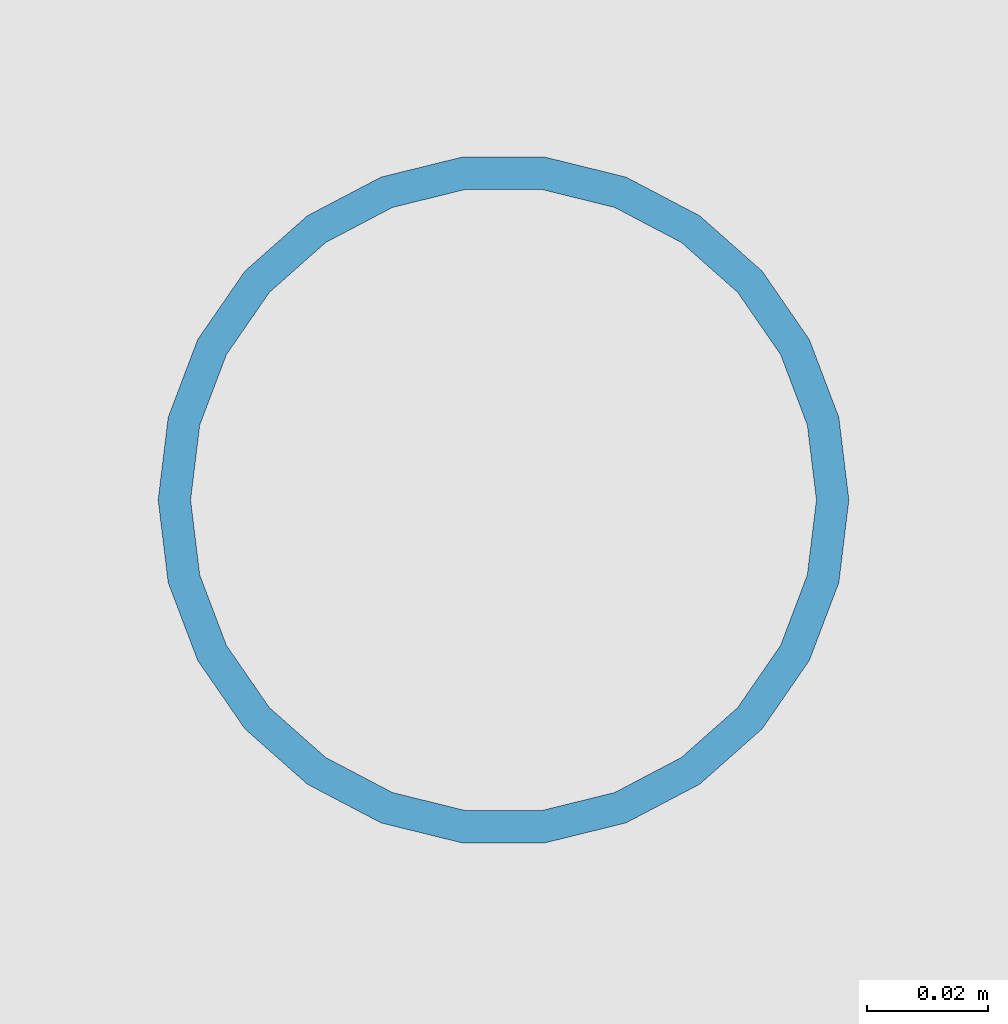
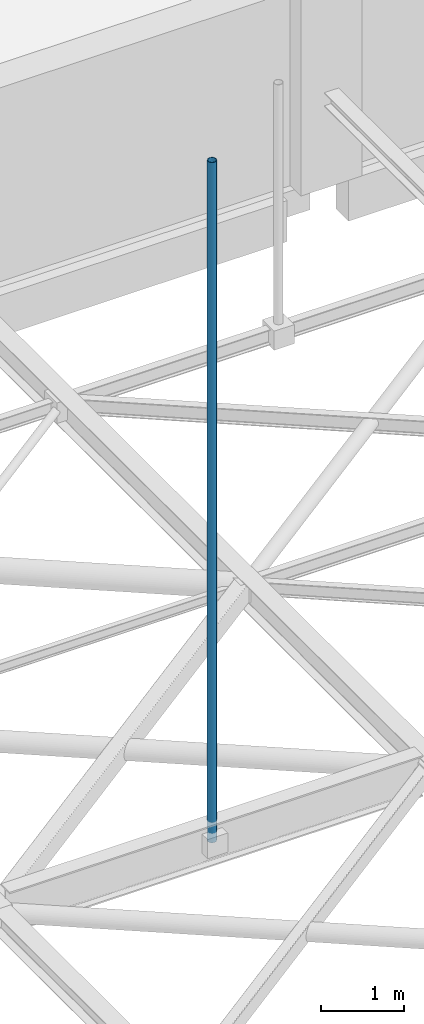
# One storey, part 45 of 93: 1 member.
"""IFC4 building model written with IfcOpenShell, lengths in metres."""

import ifcopenshell
import ifcopenshell.guid

model = None  # the IFC model being written
_history = None  # IfcOwnerHistory: only IFC2X3 demands one
_inside = {}  # id of a spatial element -> (the spatial element, [elements in it])
_under = {}  # id of a project, library or spatial element -> (it, [spatial elements below it])
_declared = {}  # id of a project -> (the project, [libraries it declares])
_typed = {}  # id of a type object -> (the type object, [elements of that type])
_made_of = {}  # id of a material, layer set ... -> (it, [elements and type objects made of it])


def new_model(schema):
    """Start an empty IFC model of exactly this schema.

    Asked for "IFC4X3", IfcOpenShell would pick the latest addendum, in which some entities
    have other attributes; the version numbers below select the first issue.
    IFC2X3 requires an IfcOwnerHistory on every rooted entity: one is made here for all.
    """
    global model, _history
    if schema == "IFC4X3":
        model = ifcopenshell.file(schema_version=(4, 3, 0, 0))
    else:
        model = ifcopenshell.file(schema=schema)
    _inside.clear()
    _under.clear()
    _declared.clear()
    _typed.clear()
    _made_of.clear()
    _history = None
    if model.schema == "IFC2X3":
        org = make("IfcOrganization", Name="unknown")
        user = make(
            "IfcPersonAndOrganization",
            ThePerson=make("IfcPerson", FamilyName="unknown"),
            TheOrganization=org,
        )
        app = make(
            "IfcApplication",
            ApplicationDeveloper=org,
            Version="unknown",
            ApplicationFullName="unknown",
            ApplicationIdentifier="unknown",
        )
        _history = make(
            "IfcOwnerHistory",
            OwningUser=user,
            OwningApplication=app,
            ChangeAction="ADDED",
            CreationDate=0,
        )
    return model


def make(cls, **values):
    """One entity of the class cls with the attributes given. An attribute that is None is left unset."""
    return model.create_entity(
        cls, **{name: value for name, value in values.items() if value is not None}
    )


def rooted(cls, **values):
    """An entity with a GlobalId (a new one), such as an element, a storey or a relation."""
    return make(cls, GlobalId=ifcopenshell.guid.new(), OwnerHistory=_history, **values)


def si_unit(unit_type, name, prefix=None):
    """IfcSIUnit, for example si_unit("LENGTHUNIT", "METRE", prefix="MILLI")."""
    return make("IfcSIUnit", UnitType=unit_type, Prefix=prefix, Name=name)


def assignment(units):
    """IfcUnitAssignment: the units of a project."""
    return None if units is None else make("IfcUnitAssignment", Units=units)


def point(xyz):
    """IfcCartesianPoint."""
    return None if xyz is None else make("IfcCartesianPoint", Coordinates=xyz)


def direction(xyz):
    """IfcDirection."""
    return None if xyz is None else make("IfcDirection", DirectionRatios=xyz)


def frame(location, z_axis=None, x_axis=None):
    """IfcAxis2Placement3D, a coordinate frame: its origin and axes. An axis left out is left unset."""
    return make(
        "IfcAxis2Placement3D",
        Location=point(location),
        Axis=direction(z_axis),
        RefDirection=direction(x_axis),
    )


def frame_2d(location, x_axis=None):
    """IfcAxis2Placement2D, a coordinate frame in the plane: its origin and x axis."""
    return make(
        "IfcAxis2Placement2D", Location=point(location), RefDirection=direction(x_axis)
    )


def origin():
    """The frame at (0, 0, 0) with its axes left unset."""
    return frame((0.0, 0.0, 0.0))


def origin_2d():
    """The frame at (0, 0) in the plane with its x axis left unset."""
    return frame_2d((0.0, 0.0))


def place(relative_to, where):
    """IfcLocalPlacement: puts the frame where relative to a parent placement (None: the world)."""
    return make(
        "IfcLocalPlacement", PlacementRelTo=relative_to, RelativePlacement=where
    )


def context(
    kind, dimensions, precision=None, world=None, true_north=None, identifier=None
):
    """IfcGeometricRepresentationContext, for example the 3D "Model" context."""
    return make(
        "IfcGeometricRepresentationContext",
        ContextIdentifier=identifier,
        ContextType=kind,
        CoordinateSpaceDimension=dimensions,
        Precision=precision,
        WorldCoordinateSystem=world,
        TrueNorth=true_north,
    )


def subcontext(parent, identifier, kind, view, scale=None):
    """IfcGeometricRepresentationSubContext, for example "Body" below "Model"."""
    return make(
        "IfcGeometricRepresentationSubContext",
        ContextIdentifier=identifier,
        ContextType=kind,
        ParentContext=parent,
        TargetScale=scale,
        TargetView=view,
    )


def project(units=None, contexts=None):
    """IfcProject with its units and contexts."""
    return rooted(
        "IfcProject",
        Name="project",
        RepresentationContexts=contexts,
        UnitsInContext=assignment(units),
    )


def spatial(cls, under=None, at=None, **own):
    """A site, building, storey or space (cls), placed at a placement, below another one or the project."""
    s = rooted(cls, ObjectPlacement=at, **own)
    if under is not None:
        _under.setdefault(under.id(), (under, []))[1].append(s)
    return s


def profile(cls, at=None, kind="AREA", **sizes):
    """A parametric profile (cls). Its sizes go by their IFC names, for example OverallWidth=200.0."""
    return make(cls, ProfileType=kind, Position=at, **sizes)


def hollow_circle(**sizes):
    """IfcCircleHollowProfileDef."""
    return profile("IfcCircleHollowProfileDef", **sizes)


def extrude(swept, where, along, depth):
    """IfcExtrudedAreaSolid: the profile swept, set in the frame where, extruded along a direction by depth."""
    return make(
        "IfcExtrudedAreaSolid",
        SweptArea=swept,
        Position=where,
        ExtrudedDirection=direction(along),
        Depth=depth,
    )


def shape(context_of_items, identifier, shape_type, items):
    """IfcShapeRepresentation: the items that make up one representation, for example the "Body"."""
    return make(
        "IfcShapeRepresentation",
        ContextOfItems=context_of_items,
        RepresentationIdentifier=identifier,
        RepresentationType=shape_type,
        Items=items,
    )


def material(Name=None, Category=None):
    """IfcMaterial."""
    return make("IfcMaterial", Name=Name, Category=Category)


def material_profile(
    of_material, cross_section, Name=None, Category=None, Priority=None
):
    """IfcMaterialProfile: a cross section and its material."""
    return make(
        "IfcMaterialProfile",
        Name=Name,
        Material=of_material,
        Profile=cross_section,
        Priority=Priority,
        Category=Category,
    )


def profile_set(profiles, Name=None, composite=None):
    """IfcMaterialProfileSet."""
    return make(
        "IfcMaterialProfileSet",
        Name=Name,
        MaterialProfiles=profiles,
        CompositeProfile=composite,
    )


def made_of(thing, what):
    """Note that an element or type object is made of a material, layer set ...; save() writes the relation."""
    if what is not None:
        _made_of.setdefault(what.id(), (what, []))[1].append(thing)
    return thing


def type_object(cls, material=None, **own):
    """A type object (cls), such as IfcWallType, which elements share."""
    return made_of(rooted(cls, **own), material)


def element(
    cls,
    number,
    at=None,
    inside=None,
    cuts=None,
    type_object=None,
    material=None,
    context=None,
    identifier="Body",
    shape_type=None,
    held_by="IfcProductDefinitionShape",
    body=None,
    shapes=None,
    **own,
):
    """One element of the class cls, such as IfcWall. Its Tag is "e" and its number.

    at: its placement. inside: the storey or other place that contains it. cuts: it is an
    opening in that element (IfcRelVoidsElement). A single representation is given by context,
    identifier, shape_type and body (its items); several are given by shapes. held_by: the class
    of the entity that holds the representations. save() writes the other relations.
    """
    e = rooted(cls, Tag="e%d" % number, ObjectPlacement=at, **own)
    if body is not None:
        shapes = [shape(context, identifier, shape_type, body)]
    if shapes is not None:
        e.Representation = make(held_by, Representations=shapes)
    if inside is not None:
        _inside.setdefault(inside.id(), (inside, []))[1].append(e)
    if cuts is not None:
        rooted(
            "IfcRelVoidsElement", RelatingBuildingElement=cuts, RelatedOpeningElement=e
        )
    if type_object is not None:
        _typed.setdefault(type_object.id(), (type_object, []))[1].append(e)
    return made_of(e, material)


def aggregate(whole, parts):
    """IfcRelAggregates: a whole, such as a stair, and the parts it consists of."""
    return rooted("IfcRelAggregates", RelatingObject=whole, RelatedObjects=parts)


def save(model, path):
    """Write the relations noted so far, then the file.

    IfcRelAggregates (storeys below a building ...), IfcRelContainedInSpatialStructure (elements
    in a storey), IfcRelDefinesByType, IfcRelAssociatesMaterial and IfcRelDeclares: one each for
    every whole, place, type object, material and project.
    """
    for whole, parts in _under.values():
        aggregate(whole, parts)
    for where, things in _inside.values():
        rooted(
            "IfcRelContainedInSpatialStructure",
            RelatedElements=things,
            RelatingStructure=where,
        )
    for kind, things in _typed.values():
        rooted("IfcRelDefinesByType", RelatedObjects=things, RelatingType=kind)
    for what, things in _made_of.values():
        rooted("IfcRelAssociatesMaterial", RelatedObjects=things, RelatingMaterial=what)
    for by, libraries in _declared.values():
        rooted("IfcRelDeclares", RelatingContext=by, RelatedDefinitions=libraries)
    model.write(path)


model = new_model("IFC4")

# Units and contexts
model_context = context("Model", 3, precision=1e-05, world=origin(), true_north=direction((0.0, 1.0)))
body_context = subcontext(model_context, "Body", "Model", "MODEL_VIEW")
ifc_project = project(units=[si_unit("LENGTHUNIT", "METRE"), si_unit("AREAUNIT", "SQUARE_METRE"), si_unit("VOLUMEUNIT", "CUBIC_METRE"), si_unit("PLANEANGLEUNIT", "RADIAN"), si_unit("MASSUNIT", "GRAM", prefix="KILO")], contexts=[model_context])

# Site, building, storey
site_placement = place(None, origin())
site = spatial("IfcSite", under=ifc_project, at=site_placement, CompositionType="ELEMENT")
building_placement = place(site_placement, origin())
building = spatial("IfcBuilding", under=site, at=building_placement, Name="Varnakota Cinema and Media Centre", CompositionType="ELEMENT")
storey_placement = place(building_placement, frame((0.0, 0.0, 12.0)))
storey = spatial("IfcBuildingStorey", under=building, at=storey_placement, Name="L03", CompositionType="ELEMENT", Elevation=12.0)

# Member
ifc_material = material(Name="Structural steel S355 (YSt 355)", Category="steel")
ifc_material_profile = material_profile(ifc_material, hollow_circle(Radius=0.05712890625, WallThickness=0.00537109375, at=origin_2d()), Name="CHS 114.3x5.4")
ifc_profile_set = profile_set([ifc_material_profile], Name="Structural steel S355 (YSt 355)")
member_type = type_object("IfcMemberType", Name="MEM-ST-CHS114_3x5_4", PredefinedType="BRACE", material=ifc_profile_set)
member_placement = place(storey_placement, frame((114.0, 22.0, 1.300048828125), z_axis=(0.0, 0.0, 1.0), x_axis=(1.0, 0.0, 0.0)))
element("IfcMember", 1, at=member_placement, inside=storey, type_object=member_type, Name="V1 rigging hanger 7.3", PredefinedType="BRACE", context=body_context, shape_type="SweptSolid", body=[
    extrude(hollow_circle(Radius=0.05712890625, WallThickness=0.00537109375, at=origin_2d()), origin(), (0.0, 0.0, 1.0), 9.949951171875),
])

save(model, "model.ifc")
